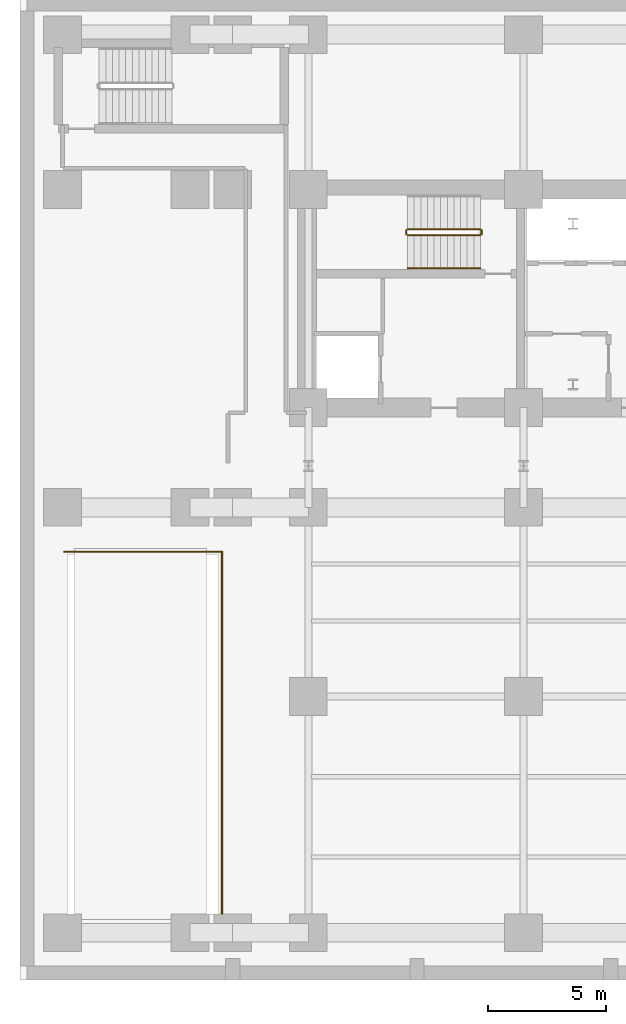
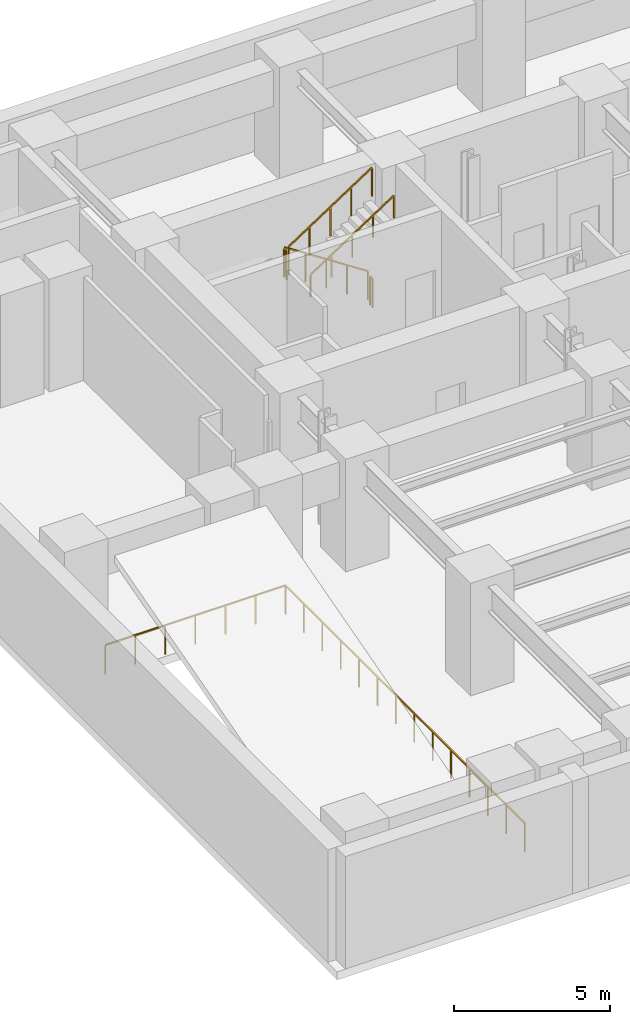
# One storey, part 5 of 8: 6 railings.
"""IFC4 building model written with IfcOpenShell, lengths in metres."""

from ifc_helpers import new_model, si_unit, direction, frame, origin, origin_2d, place, context, subcontext, project, spatial, rectangle, extrude, material, type_object, element, save


model = new_model("IFC4")

# Units and contexts
model_context = context("Model", 3, precision=1e-05, world=origin(), true_north=direction((0.0, 1.0)))
body_context = subcontext(model_context, "Body", "Model", "MODEL_VIEW")
ifc_project = project(units=[si_unit("LENGTHUNIT", "METRE"), si_unit("AREAUNIT", "SQUARE_METRE"), si_unit("VOLUMEUNIT", "CUBIC_METRE"), si_unit("PLANEANGLEUNIT", "RADIAN"), si_unit("MASSUNIT", "GRAM", prefix="KILO")], contexts=[model_context])

# Site, building, storey
site_placement = place(None, origin())
site = spatial("IfcSite", under=ifc_project, at=site_placement, CompositionType="ELEMENT")
building_placement = place(site_placement, origin())
building = spatial("IfcBuilding", under=site, at=building_placement, Name="Zarnavel Station Tower", CompositionType="ELEMENT")
storey_placement = place(building_placement, frame((0.0, 0.0, -4.39990234375)))
storey = spatial("IfcBuildingStorey", under=building, at=storey_placement, Name="B01", CompositionType="ELEMENT", Elevation=-4.39990234375)

# Railings
ifc_material_1 = material(Name="Painted Steel S355J2 Balustrade", Category="steel")
railing_type_1 = type_object("IfcRailingType", Name="GR_INT_1150", PredefinedType="GUARDRAIL", material=ifc_material_1)
railing_1_placement = place(storey_placement, frame((19.47998046875, 35.3701171875, 0.183349609375)))
element("IfcRailing", 1, at=railing_1_placement, inside=storey, type_object=railing_type_1, Name="B01 ST1 stair guard 1", PredefinedType="GUARDRAIL", context=body_context, shape_type="SweptSolid", body=[
    extrude(rectangle(XDim=0.048095703125, YDim=0.048095703125, at=origin_2d()), frame((-0.001708984375, 0.0, 1.126953125), z_axis=(-0.836633000464, 0.0, 0.547763838287), x_axis=(0.0, -1.0, 0.0)), (0.0, 0.0, 1.0), 3.677490234375),
    extrude(rectangle(XDim=0.0419921875, YDim=0.0419921875, at=origin_2d()), origin(), (0.0, 0.0, 1.0), 1.101806640625),
    extrude(rectangle(XDim=0.0419921875, YDim=0.0419921875, at=origin_2d()), frame((-0.77001953125, 0.0, 0.504150390625)), (0.0, 0.0, 1.0), 1.101806640625),
    extrude(rectangle(XDim=0.0419921875, YDim=0.0419921875, at=origin_2d()), frame((-1.5400390625, 0.0, 1.00830078125)), (0.0, 0.0, 1.0), 1.101806640625),
    extrude(rectangle(XDim=0.0419921875, YDim=0.0419921875, at=origin_2d()), frame((-2.31005859375, 0.0, 1.512451171875)), (0.0, 0.0, 1.0), 1.101806640625),
    extrude(rectangle(XDim=0.0419921875, YDim=0.0419921875, at=origin_2d()), frame((-3.080078125, 0.0, 2.0166015625)), (0.0, 0.0, 1.0), 1.101806640625),
])
railing_2_placement = place(storey_placement, frame((16.35009765625, 35.320068359375, 2.199951171875)))
element("IfcRailing", 2, at=railing_2_placement, inside=storey, type_object=railing_type_1, Name="B01 ST1 stair guard 2", PredefinedType="GUARDRAIL", context=body_context, shape_type="SweptSolid", body=[
    extrude(rectangle(XDim=0.048095703125, YDim=0.048095703125, at=origin_2d()), frame((0.0, -0.001953125, 1.1259765625), z_axis=(0.0, -1.0, 0.0), x_axis=(1.0, 0.0, 0.0)), (0.0, 0.0, 1.0), 0.15625),
    extrude(rectangle(XDim=0.0419921875, YDim=0.0419921875, at=origin_2d()), origin(), (0.0, 0.0, 1.0), 1.101806640625),
    extrude(rectangle(XDim=0.0419921875, YDim=0.0419921875, at=origin_2d()), frame((0.0, -0.16015625, 0.0)), (0.0, 0.0, 1.0), 1.101806640625),
])
railing_3_placement = place(storey_placement, frame((16.39990234375, 35.110107421875, 2.38330078125)))
element("IfcRailing", 3, at=railing_3_placement, inside=storey, type_object=railing_type_1, Name="B01 ST1 stair guard 3", PredefinedType="GUARDRAIL", context=body_context, shape_type="SweptSolid", body=[
    extrude(rectangle(XDim=0.048095703125, YDim=0.048095703125, at=origin_2d()), frame((0.001708984375, 0.0, 1.126953125), z_axis=(0.836633000464, 0.0, 0.547763838287), x_axis=(0.0, 1.0, 0.0)), (0.0, 0.0, 1.0), 3.677490234375),
    extrude(rectangle(XDim=0.0419921875, YDim=0.0419921875, at=origin_2d()), origin(), (0.0, 0.0, 1.0), 1.101806640625),
    extrude(rectangle(XDim=0.0419921875, YDim=0.0419921875, at=origin_2d()), frame((0.77001953125, 0.0, 0.504150390625)), (0.0, 0.0, 1.0), 1.101806640625),
    extrude(rectangle(XDim=0.0419921875, YDim=0.0419921875, at=origin_2d()), frame((1.5400390625, 0.0, 1.00830078125)), (0.0, 0.0, 1.0), 1.101806640625),
    extrude(rectangle(XDim=0.0419921875, YDim=0.0419921875, at=origin_2d()), frame((2.31005859375, 0.0, 1.512451171875)), (0.0, 0.0, 1.0), 1.101806640625),
    extrude(rectangle(XDim=0.0419921875, YDim=0.0419921875, at=origin_2d()), frame((3.080078125, 0.0, 2.0166015625)), (0.0, 0.0, 1.0), 1.101806640625),
])
railing_4_placement = place(storey_placement, frame((19.530029296875, 35.320068359375, 0.0)))
element("IfcRailing", 4, at=railing_4_placement, inside=storey, type_object=railing_type_1, Name="B01 ST1 stair guard 4", PredefinedType="GUARDRAIL", context=body_context, shape_type="SweptSolid", body=[
    extrude(rectangle(XDim=0.048095703125, YDim=0.048095703125, at=origin_2d()), frame((0.0, -0.001953125, 1.1259765625), z_axis=(0.0, -1.0, 0.0), x_axis=(1.0, 0.0, 0.0)), (0.0, 0.0, 1.0), 0.15625),
    extrude(rectangle(XDim=0.0419921875, YDim=0.0419921875, at=origin_2d()), origin(), (0.0, 0.0, 1.0), 1.101806640625),
    extrude(rectangle(XDim=0.0419921875, YDim=0.0419921875, at=origin_2d()), frame((0.0, -0.16015625, 0.0)), (0.0, 0.0, 1.0), 1.101806640625),
])
railing_5_placement = place(storey_placement, frame((8.550048828125, 6.39990234375, 0.0)))
element("IfcRailing", 5, at=railing_5_placement, inside=storey, type_object=railing_type_1, Name="B01 Vehicle Ramp Well Side Barrier", PredefinedType="GUARDRAIL", context=body_context, shape_type="SweptSolid", body=[
    extrude(rectangle(XDim=0.048095703125, YDim=0.048095703125, at=origin_2d()), frame((0.0, 0.001953125, 1.1259765625), z_axis=(0.0, 1.0, 0.0), x_axis=(-1.0, 0.0, 0.0)), (0.0, 0.0, 1.0), 15.316162109375),
    extrude(rectangle(XDim=0.048095703125, YDim=0.048095703125, at=origin_2d()), frame((-0.001953125, 15.320068359375, 1.1259765625), z_axis=(-1.0, 0.0, 0.0), x_axis=(0.0, -1.0, 0.0)), (0.0, 0.0, 1.0), 6.666259765625),
    extrude(rectangle(XDim=0.0419921875, YDim=0.0419921875, at=origin_2d()), origin(), (0.0, 0.0, 1.0), 1.101806640625),
    extrude(rectangle(XDim=0.0419921875, YDim=0.0419921875, at=origin_2d()), frame((0.0, 1.178466796875, 0.0)), (0.0, 0.0, 1.0), 1.101806640625),
    extrude(rectangle(XDim=0.0419921875, YDim=0.0419921875, at=origin_2d()), frame((0.0, 2.35693359375, 0.0)), (0.0, 0.0, 1.0), 1.101806640625),
    extrude(rectangle(XDim=0.0419921875, YDim=0.0419921875, at=origin_2d()), frame((0.0, 3.535400390625, 0.0)), (0.0, 0.0, 1.0), 1.101806640625),
    extrude(rectangle(XDim=0.0419921875, YDim=0.0419921875, at=origin_2d()), frame((0.0, 4.7138671875, 0.0)), (0.0, 0.0, 1.0), 1.101806640625),
    extrude(rectangle(XDim=0.0419921875, YDim=0.0419921875, at=origin_2d()), frame((0.0, 5.892333984375, 0.0)), (0.0, 0.0, 1.0), 1.101806640625),
    extrude(rectangle(XDim=0.0419921875, YDim=0.0419921875, at=origin_2d()), frame((0.0, 7.07080078125, 0.0)), (0.0, 0.0, 1.0), 1.101806640625),
    extrude(rectangle(XDim=0.0419921875, YDim=0.0419921875, at=origin_2d()), frame((0.0, 8.249267578125, 0.0)), (0.0, 0.0, 1.0), 1.101806640625),
    extrude(rectangle(XDim=0.0419921875, YDim=0.0419921875, at=origin_2d()), frame((0.0, 9.427734375, 0.0)), (0.0, 0.0, 1.0), 1.101806640625),
    extrude(rectangle(XDim=0.0419921875, YDim=0.0419921875, at=origin_2d()), frame((0.0, 10.606201171875, 0.0)), (0.0, 0.0, 1.0), 1.101806640625),
    extrude(rectangle(XDim=0.0419921875, YDim=0.0419921875, at=origin_2d()), frame((0.0, 11.78466796875, 0.0)), (0.0, 0.0, 1.0), 1.101806640625),
    extrude(rectangle(XDim=0.0419921875, YDim=0.0419921875, at=origin_2d()), frame((0.0, 12.963134765625, 0.0)), (0.0, 0.0, 1.0), 1.101806640625),
    extrude(rectangle(XDim=0.0419921875, YDim=0.0419921875, at=origin_2d()), frame((0.0, 14.1416015625, 0.0)), (0.0, 0.0, 1.0), 1.101806640625),
    extrude(rectangle(XDim=0.0419921875, YDim=0.0419921875, at=origin_2d()), frame((0.0, 15.320068359375, 0.0)), (0.0, 0.0, 1.0), 1.101806640625),
    extrude(rectangle(XDim=0.0419921875, YDim=0.0419921875, at=origin_2d()), frame((-1.11181640625, 15.320068359375, 0.0)), (0.0, 0.0, 1.0), 1.101806640625),
    extrude(rectangle(XDim=0.0419921875, YDim=0.0419921875, at=origin_2d()), frame((-2.223388671875, 15.320068359375, 0.0)), (0.0, 0.0, 1.0), 1.101806640625),
    extrude(rectangle(XDim=0.0419921875, YDim=0.0419921875, at=origin_2d()), frame((-3.3349609375, 15.320068359375, 0.0)), (0.0, 0.0, 1.0), 1.101806640625),
    extrude(rectangle(XDim=0.0419921875, YDim=0.0419921875, at=origin_2d()), frame((-4.44677734375, 15.320068359375, 0.0)), (0.0, 0.0, 1.0), 1.101806640625),
    extrude(rectangle(XDim=0.0419921875, YDim=0.0419921875, at=origin_2d()), frame((-5.55859375, 15.320068359375, 0.0)), (0.0, 0.0, 1.0), 1.101806640625),
    extrude(rectangle(XDim=0.0419921875, YDim=0.0419921875, at=origin_2d()), frame((-6.670166015625, 15.320068359375, 0.0)), (0.0, 0.0, 1.0), 1.101806640625),
])
ifc_material_2 = material(Name="Brushed Stainless Steel S355J2 Handrail", Category="steel")
railing_type_2 = type_object("IfcRailingType", Name="HR_STAIR_900", PredefinedType="HANDRAIL", material=ifc_material_2)
railing_6_placement = place(storey_placement, frame((16.39990234375, 33.7099609375, 2.38330078125)))
element("IfcRailing", 6, at=railing_6_placement, inside=storey, type_object=railing_type_2, Name="B01 ST1 stair handrail 2", PredefinedType="HANDRAIL", context=body_context, shape_type="SweptSolid", body=[
    extrude(rectangle(XDim=0.048095703125, YDim=0.048095703125, at=origin_2d()), frame((0.001708984375, 0.0, 0.876953125), z_axis=(0.836633000464, 0.0, 0.547763838287), x_axis=(0.0, 1.0, 0.0)), (0.0, 0.0, 1.0), 3.677490234375),
    extrude(rectangle(XDim=0.0419921875, YDim=0.0419921875, at=origin_2d()), origin(), (0.0, 0.0, 1.0), 0.851806640625),
    extrude(rectangle(XDim=0.0419921875, YDim=0.0419921875, at=origin_2d()), frame((0.77001953125, 0.0, 0.504150390625)), (0.0, 0.0, 1.0), 0.851806640625),
    extrude(rectangle(XDim=0.0419921875, YDim=0.0419921875, at=origin_2d()), frame((1.5400390625, 0.0, 1.00830078125)), (0.0, 0.0, 1.0), 0.851806640625),
    extrude(rectangle(XDim=0.0419921875, YDim=0.0419921875, at=origin_2d()), frame((2.31005859375, 0.0, 1.512451171875)), (0.0, 0.0, 1.0), 0.851806640625),
    extrude(rectangle(XDim=0.0419921875, YDim=0.0419921875, at=origin_2d()), frame((3.080078125, 0.0, 2.0166015625)), (0.0, 0.0, 1.0), 0.851806640625),
])

save(model, "model.ifc")
